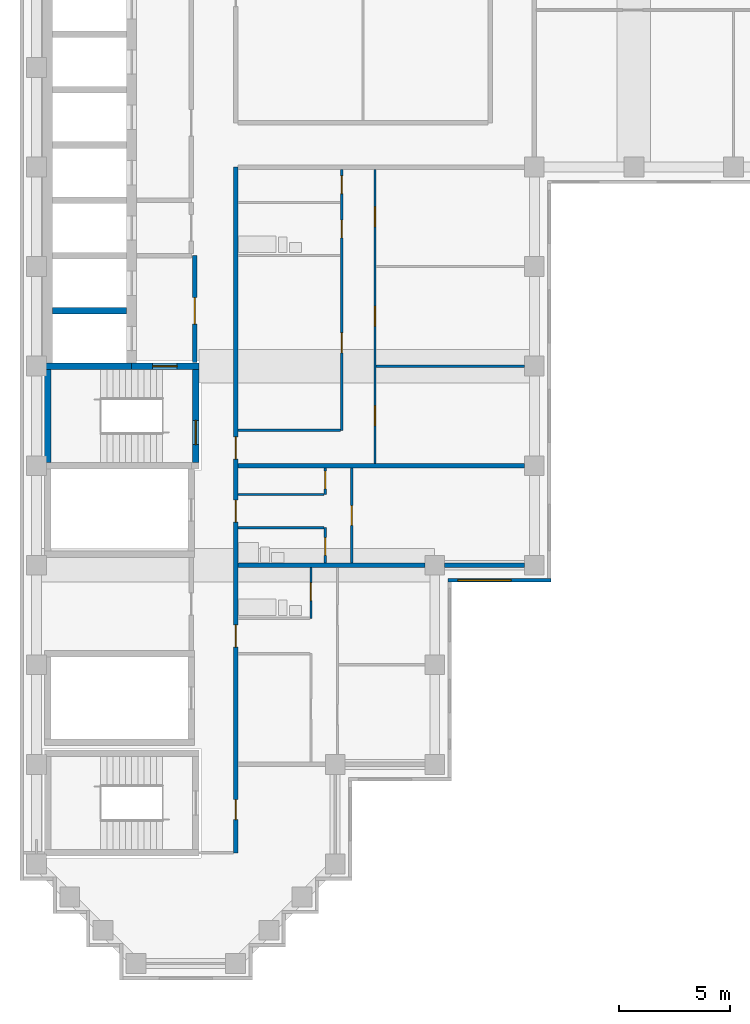
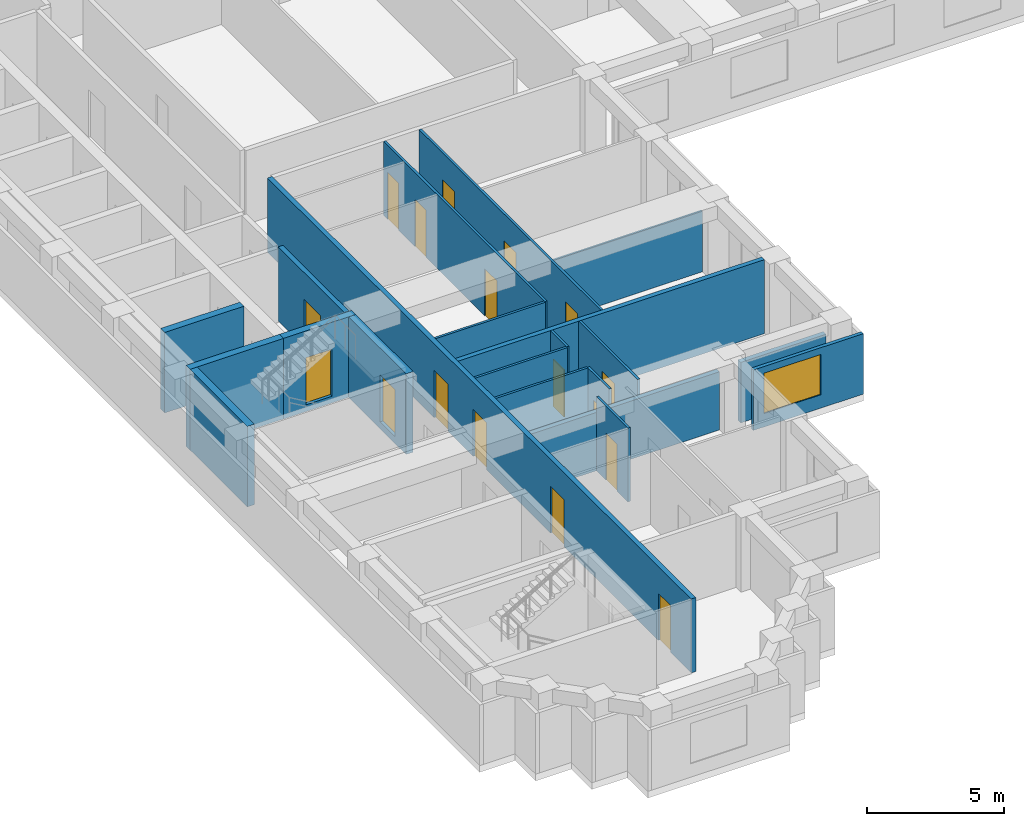
# One storey, part 3 of 11: 21 walls, 17 doors, 1 window, 18 openings.
"""IFC4 building model written with IfcOpenShell, lengths in metres."""

from ifc_helpers import new_model, si_unit, direction, frame, frame_2d, origin, place, context, subcontext, project, spatial, rectangle, extrude, material, layer, layer_set, type_object, element, fill, save


model = new_model("IFC4")

# Units and contexts
model_context = context("Model", 3, precision=1e-05, world=origin(), true_north=direction((0.0, 1.0)))
body_context = subcontext(model_context, "Body", "Model", "MODEL_VIEW")
ifc_project = project(units=[si_unit("LENGTHUNIT", "METRE"), si_unit("AREAUNIT", "SQUARE_METRE"), si_unit("VOLUMEUNIT", "CUBIC_METRE"), si_unit("PLANEANGLEUNIT", "RADIAN"), si_unit("MASSUNIT", "GRAM", prefix="KILO")], contexts=[model_context])

# Site, building, storey
site_placement = place(None, origin())
site = spatial("IfcSite", under=ifc_project, at=site_placement, CompositionType="ELEMENT")
building_placement = place(site_placement, origin())
building = spatial("IfcBuilding", under=site, at=building_placement, Name="Firuza Court", CompositionType="ELEMENT")
storey_placement = place(building_placement, frame((0.0, 0.0, 179.0)))
storey = spatial("IfcBuildingStorey", under=building, at=storey_placement, Name="L45", CompositionType="ELEMENT", Elevation=179.0)

# Walls
ifc_material_1 = material(Name="Moisture-resistant gypsum board partition")
ifc_layer_1 = layer(ifc_material_1, 0.10009765625)
ifc_layer_set_1 = layer_set([ifc_layer_1], Name="Moisture-resistant gypsum board partition")
wall_type_1 = type_object("IfcWallType", Name="Bathroom partition 100", PredefinedType="PLUMBINGWALL", material=ifc_layer_set_1)
wall_1_placement = place(storey_placement, frame((9.10009765625, 19.699951171875, 0.0), z_axis=(0.0, 0.0, 1.0), x_axis=(1.0, 0.0, 0.0)))
element("IfcWall", 1, at=wall_1_placement, inside=storey, type_object=wall_type_1, Name="Bathroom partition 100 L45", PredefinedType="PLUMBINGWALL", context=body_context, shape_type="SweptSolid", body=[
    extrude(rectangle(XDim=3.89990234375, YDim=0.10009765625, at=frame_2d((1.949951171875, 0.0))), origin(), (0.0, 0.0, 1.0), 3.300048828125),
])
ifc_material_2 = material(Name="Concrete C50/60", Category="concrete")
ifc_layer_2 = layer(ifc_material_2, 0.300048828125)
ifc_layer_set_2 = layer_set([ifc_layer_2], Name="Concrete C50/60")
wall_type_2 = type_object("IfcWallType", Name="Core wall 300 C50/60", PredefinedType="SHEAR", material=ifc_layer_set_2)
wall_2_placement = place(storey_placement, frame((0.35009765625, 27.0, -0.300048828125), z_axis=(0.0, 0.0, 1.0), x_axis=(1.0, 0.0, 0.0)))
element("IfcWall", 2, at=wall_2_placement, inside=storey, type_object=wall_type_2, Name="Core wall lift shaft L45", PredefinedType="SHEAR", context=body_context, shape_type="SweptSolid", body=[
    extrude(rectangle(XDim=3.949951171875, YDim=0.300048828125, at=frame_2d((1.97509765625, 0.0))), origin(), (0.0, 0.0, 1.0), 3.60009765625),
])
wall_3_placement = place(storey_placement, frame((0.5, 22.64990234375, -0.300048828125), z_axis=(0.0, 0.0, 1.0), x_axis=(0.0, 1.0, 0.0)))
element("IfcWall", 3, at=wall_3_placement, inside=storey, type_object=wall_type_2, Name="Core wall stair L45", PredefinedType="SHEAR", context=body_context, shape_type="SweptSolid", body=[
    extrude(rectangle(XDim=4.2001953125, YDim=0.300048828125, at=frame_2d((2.10009765625, 0.0))), origin(), (0.0, 0.0, 1.0), 3.60009765625),
])
wall_4_placement = place(storey_placement, frame((0.72509765625, 29.5, -0.300048828125), z_axis=(0.0, 0.0, 1.0), x_axis=(1.0, 0.0, 0.0)))
element("IfcWall", 4, at=wall_4_placement, inside=storey, type_object=wall_type_2, Name="Core wall lift shaft L45", PredefinedType="SHEAR", context=body_context, shape_type="SweptSolid", body=[
    extrude(rectangle(XDim=3.349853515625, YDim=0.300048828125, at=frame_2d((1.6748046875, 0.0))), origin(), (0.0, 0.0, 1.0), 3.60009765625),
])

# Wall, opening, door
wall_5_placement = place(storey_placement, frame((4.300048828125, 27.0, -0.300048828125), z_axis=(0.0, 0.0, 1.0), x_axis=(1.0, 0.0, 0.0)))
wall_5 = element("IfcWall", 5, at=wall_5_placement, inside=storey, type_object=wall_type_2, Name="Core wall stair L45", PredefinedType="SHEAR", context=body_context, shape_type="SweptSolid", body=[
    extrude(rectangle(XDim=3.050048828125, YDim=0.300048828125, at=frame_2d((1.52490234375, 0.0))), origin(), (0.0, 0.0, 1.0), 3.60009765625),
])
opening_1_placement = place(wall_5_placement, frame((0.949951171875, 0.0, 0.300048828125)))
opening_1 = element("IfcOpeningElement", 6, at=opening_1_placement, cuts=wall_5, Name="Opening D45013", PredefinedType="OPENING", context=body_context, shape_type="SweptSolid", body=[
    extrude(rectangle(XDim=1.10009765625, YDim=2.10009765625, at=frame_2d((0.550048828125, 1.050048828125))), frame((0.0, 0.162109375, 0.0), z_axis=(0.0, -1.0, 0.0), x_axis=(1.0, 0.0, 0.0)), (0.0, 0.0, 1.0), 0.323974609375),
])
ifc_material_3 = material(Name="Timber door leaf in hardwood frame", Category="wood")
door_type_1 = type_object("IfcDoorType", Name="Stair door 1100", OperationType="SINGLE_SWING_LEFT", PredefinedType="DOOR", material=ifc_material_3)
door_1_placement = place(opening_1_placement, frame((1.10009765625, 0.0, 0.0), z_axis=(0.0, 0.0, 1.0), x_axis=(-1.0, 0.0, 0.0)))
door_1 = element("IfcDoor", 7, at=door_1_placement, inside=storey, type_object=door_type_1, Name="Fire-fighting lobby door", OperationType="SINGLE_SWING_LEFT", OverallHeight=2.10009765625, OverallWidth=1.10009765625, PredefinedType="DOOR", context=body_context, shape_type="SweptSolid", body=[
    extrude(rectangle(XDim=1.10009765625, YDim=2.10009765625, at=frame_2d((0.550048828125, 1.050048828125))), frame((0.0, 0.02490234375, 0.0), z_axis=(0.0, -1.0, 0.0), x_axis=(1.0, 0.0, 0.0)), (0.0, 0.0, 1.0), 0.050048828125),
])
fill(opening_1, door_1)

wall_6_placement = place(storey_placement, frame((7.199951171875, 22.64990234375, -0.300048828125), z_axis=(0.0, 0.0, 1.0), x_axis=(0.0, 1.0, 0.0)))
wall_6 = element("IfcWall", 8, at=wall_6_placement, inside=storey, type_object=wall_type_2, Name="Core wall stair L45", PredefinedType="SHEAR", context=body_context, shape_type="SweptSolid", body=[
    extrude(rectangle(XDim=4.2001953125, YDim=0.300048828125, at=frame_2d((2.10009765625, 0.0))), origin(), (0.0, 0.0, 1.0), 3.60009765625),
])
opening_2_placement = place(wall_6_placement, frame((0.800048828125, 0.0, 0.300048828125)))
opening_2 = element("IfcOpeningElement", 9, at=opening_2_placement, cuts=wall_6, Name="Opening D45014", PredefinedType="OPENING", context=body_context, shape_type="SweptSolid", body=[
    extrude(rectangle(XDim=1.10009765625, YDim=2.10009765625, at=frame_2d((0.550048828125, 1.050048828125))), frame((0.0, 0.162109375, 0.0), z_axis=(0.0, -1.0, 0.0), x_axis=(1.0, 0.0, 0.0)), (0.0, 0.0, 1.0), 0.323974609375),
])
door_2_placement = place(opening_2_placement, origin())
door_2 = element("IfcDoor", 10, at=door_2_placement, inside=storey, type_object=door_type_1, Name="Stair door S2", OperationType="SINGLE_SWING_LEFT", OverallHeight=2.10009765625, OverallWidth=1.10009765625, PredefinedType="DOOR", context=body_context, shape_type="SweptSolid", body=[
    extrude(rectangle(XDim=1.10009765625, YDim=2.10009765625, at=frame_2d((0.550048828125, 1.050048828125))), frame((0.0, 0.02490234375, 0.0), z_axis=(0.0, -1.0, 0.0), x_axis=(1.0, 0.0, 0.0)), (0.0, 0.0, 1.0), 0.050048828125),
])
fill(opening_2, door_2)

# Wall, openings, doors
ifc_material_4 = material(Name="Blockwork, plastered both sides", Category="masonry")
ifc_layer_3 = layer(ifc_material_4, 0.199951171875)
ifc_layer_set_3 = layer_set([ifc_layer_3], Name="Blockwork, plastered both sides")
wall_type_3 = type_object("IfcWallType", Name="Corridor wall 200", PredefinedType="PARTITIONING", material=ifc_layer_set_3)
wall_7_placement = place(storey_placement, frame((9.0, 5.0, 0.0), z_axis=(0.0, 0.0, 1.0), x_axis=(0.0, 1.0, 0.0)))
wall_7 = element("IfcWall", 11, at=wall_7_placement, inside=storey, type_object=wall_type_3, Name="Corridor wall 200 L45", PredefinedType="PARTITIONING", context=body_context, shape_type="SweptSolid", body=[
    extrude(rectangle(XDim=31.0, YDim=0.199951171875, at=frame_2d((15.5, 0.0))), origin(), (0.0, 0.0, 1.0), 3.300048828125),
])
opening_3_placement = place(wall_7_placement, frame((17.800048828125, 0.0, 0.0)))
opening_3 = element("IfcOpeningElement", 12, at=opening_3_placement, cuts=wall_7, Name="Opening D45018", PredefinedType="OPENING", context=body_context, shape_type="SweptSolid", body=[
    extrude(rectangle(XDim=1.0, YDim=2.10009765625, at=frame_2d((0.5, 1.050048828125))), frame((0.0, 0.11181640625, 0.0), z_axis=(0.0, -1.0, 0.0), x_axis=(1.0, 0.0, 0.0)), (0.0, 0.0, 1.0), 0.223876953125),
])
opening_4_placement = place(wall_7_placement, frame((14.949951171875, 0.0, 0.0)))
opening_4 = element("IfcOpeningElement", 13, at=opening_4_placement, cuts=wall_7, Name="Opening D45019", PredefinedType="OPENING", context=body_context, shape_type="SweptSolid", body=[
    extrude(rectangle(XDim=1.0, YDim=2.10009765625, at=frame_2d((0.5, 1.050048828125))), frame((0.0, 0.11181640625, 0.0), z_axis=(0.0, -1.0, 0.0), x_axis=(1.0, 0.0, 0.0)), (0.0, 0.0, 1.0), 0.223876953125),
])
opening_5_placement = place(wall_7_placement, frame((9.300048828125, 0.0, 0.0)))
opening_5 = element("IfcOpeningElement", 14, at=opening_5_placement, cuts=wall_7, Name="Opening D45020", PredefinedType="OPENING", context=body_context, shape_type="SweptSolid", body=[
    extrude(rectangle(XDim=1.0, YDim=2.10009765625, at=frame_2d((0.5, 1.050048828125))), frame((0.0, 0.11181640625, 0.0), z_axis=(0.0, -1.0, 0.0), x_axis=(1.0, 0.0, 0.0)), (0.0, 0.0, 1.0), 0.223876953125),
])
opening_6_placement = place(wall_7_placement, frame((1.5, 0.0, 0.0)))
opening_6 = element("IfcOpeningElement", 15, at=opening_6_placement, cuts=wall_7, Name="Opening D45021", PredefinedType="OPENING", context=body_context, shape_type="SweptSolid", body=[
    extrude(rectangle(XDim=0.89990234375, YDim=2.10009765625, at=frame_2d((0.449951171875, 1.050048828125))), frame((0.0, 0.11181640625, 0.0), z_axis=(0.0, -1.0, 0.0), x_axis=(1.0, 0.0, 0.0)), (0.0, 0.0, 1.0), 0.223876953125),
])
ifc_material_5 = material(Name="Timber door leaf in hardwood frame", Category="wood")
door_type_2 = type_object("IfcDoorType", Name="Flat entrance door 1000", OperationType="SINGLE_SWING_LEFT", PredefinedType="DOOR", material=ifc_material_5)
door_3_placement = place(opening_3_placement, origin())
door_3 = element("IfcDoor", 16, at=door_3_placement, inside=storey, type_object=door_type_2, Name="Flat entrance door", OperationType="SINGLE_SWING_LEFT", OverallHeight=2.10009765625, OverallWidth=1.0, PredefinedType="DOOR", context=body_context, shape_type="SweptSolid", body=[
    extrude(rectangle(XDim=1.0, YDim=2.10009765625, at=frame_2d((0.5, 1.050048828125))), frame((0.0, 0.02490234375, 0.0), z_axis=(0.0, -1.0, 0.0), x_axis=(1.0, 0.0, 0.0)), (0.0, 0.0, 1.0), 0.050048828125),
])
fill(opening_3, door_3)
door_4_placement = place(opening_4_placement, origin())
door_4 = element("IfcDoor", 17, at=door_4_placement, inside=storey, type_object=door_type_2, Name="Flat entrance door", OperationType="SINGLE_SWING_LEFT", OverallHeight=2.10009765625, OverallWidth=1.0, PredefinedType="DOOR", context=body_context, shape_type="SweptSolid", body=[
    extrude(rectangle(XDim=1.0, YDim=2.10009765625, at=frame_2d((0.5, 1.050048828125))), frame((0.0, 0.02490234375, 0.0), z_axis=(0.0, -1.0, 0.0), x_axis=(1.0, 0.0, 0.0)), (0.0, 0.0, 1.0), 0.050048828125),
])
fill(opening_4, door_4)
door_5_placement = place(opening_5_placement, origin())
door_5 = element("IfcDoor", 18, at=door_5_placement, inside=storey, type_object=door_type_2, Name="Flat entrance door", OperationType="SINGLE_SWING_LEFT", OverallHeight=2.10009765625, OverallWidth=1.0, PredefinedType="DOOR", context=body_context, shape_type="SweptSolid", body=[
    extrude(rectangle(XDim=1.0, YDim=2.10009765625, at=frame_2d((0.5, 1.050048828125))), frame((0.0, 0.02490234375, 0.0), z_axis=(0.0, -1.0, 0.0), x_axis=(1.0, 0.0, 0.0)), (0.0, 0.0, 1.0), 0.050048828125),
])
fill(opening_5, door_5)
ifc_material_6 = material(Name="Timber door leaf in hardwood frame", Category="wood")
door_type_3 = type_object("IfcDoorType", Name="Room door 900 EI 30", OperationType="SINGLE_SWING_LEFT", PredefinedType="DOOR", material=ifc_material_6)
door_6_placement = place(opening_6_placement, origin())
door_6 = element("IfcDoor", 19, at=door_6_placement, inside=storey, type_object=door_type_3, Name="Fitness studio door", OperationType="SINGLE_SWING_LEFT", OverallHeight=2.10009765625, OverallWidth=0.89990234375, PredefinedType="DOOR", context=body_context, shape_type="SweptSolid", body=[
    extrude(rectangle(XDim=0.89990234375, YDim=2.10009765625, at=frame_2d((0.449951171875, 1.050048828125))), frame((0.0, 0.02490234375, 0.0), z_axis=(0.0, -1.0, 0.0), x_axis=(1.0, 0.0, 0.0)), (0.0, 0.0, 1.0), 0.050048828125),
])
fill(opening_6, door_6)

# Wall, opening, door
ifc_material_7 = material(Name="Timber stud partition, plasterboard both sides", Category="wood")
ifc_layer_4 = layer(ifc_material_7, 0.10009765625)
ifc_layer_set_4 = layer_set([ifc_layer_4], Name="Timber stud partition, plasterboard both sides")
wall_type_4 = type_object("IfcWallType", Name="Partition wall 100", PredefinedType="PARTITIONING", material=ifc_layer_set_4)
wall_8_placement = place(storey_placement, frame((12.39990234375, 15.60009765625, 0.0), z_axis=(0.0, 0.0, 1.0), x_axis=(0.0, 1.0, 0.0)))
wall_8 = element("IfcWall", 20, at=wall_8_placement, inside=storey, type_object=wall_type_4, Name="Partition wall 100 L45", PredefinedType="PARTITIONING", context=body_context, shape_type="SweptSolid", body=[
    extrude(rectangle(XDim=2.2998046875, YDim=0.10009765625, at=frame_2d((1.14990234375, 0.0))), origin(), (0.0, 0.0, 1.0), 3.300048828125),
])
opening_7_placement = place(wall_8_placement, frame((0.800048828125, 0.0, 0.0)))
opening_7 = element("IfcOpeningElement", 21, at=opening_7_placement, cuts=wall_8, Name="Opening D45026", PredefinedType="OPENING", context=body_context, shape_type="SweptSolid", body=[
    extrude(rectangle(XDim=0.800048828125, YDim=2.10009765625, at=frame_2d((0.39990234375, 1.050048828125))), frame((0.0, 0.06201171875, 0.0), z_axis=(0.0, -1.0, 0.0), x_axis=(1.0, 0.0, 0.0)), (0.0, 0.0, 1.0), 0.1240234375),
])
ifc_material_8 = material(Name="Timber door leaf in hardwood frame", Category="wood")
door_type_4 = type_object("IfcDoorType", Name="Bathroom door 800", OperationType="SINGLE_SWING_LEFT", PredefinedType="DOOR", material=ifc_material_8)
door_7_placement = place(opening_7_placement, origin())
door_7 = element("IfcDoor", 22, at=door_7_placement, inside=storey, type_object=door_type_4, Name="Bathroom door", OperationType="SINGLE_SWING_LEFT", OverallHeight=2.10009765625, OverallWidth=0.800048828125, PredefinedType="DOOR", context=body_context, shape_type="SweptSolid", body=[
    extrude(rectangle(XDim=0.800048828125, YDim=2.10009765625, at=frame_2d((0.39990234375, 1.050048828125))), frame((0.0, 0.02490234375, 0.0), z_axis=(0.0, -1.0, 0.0), x_axis=(1.0, 0.0, 0.0)), (0.0, 0.0, 1.0), 0.050048828125),
])
fill(opening_7, door_7)

wall_9_placement = place(storey_placement, frame((13.050048828125, 18.10009765625, 0.0), z_axis=(0.0, 0.0, 1.0), x_axis=(0.0, 1.0, 0.0)))
wall_9 = element("IfcWall", 23, at=wall_9_placement, inside=storey, type_object=wall_type_4, Name="Partition wall 100 L45", PredefinedType="PARTITIONING", context=body_context, shape_type="SweptSolid", body=[
    extrude(rectangle(XDim=1.599853515625, YDim=0.10009765625, at=frame_2d((0.7998046875, 0.0))), origin(), (0.0, 0.0, 1.0), 3.300048828125),
])
opening_8_placement = place(wall_9_placement, frame((0.35009765625, 0.0, 0.0)))
opening_8 = element("IfcOpeningElement", 24, at=opening_8_placement, cuts=wall_9, Name="Opening D45027", PredefinedType="OPENING", context=body_context, shape_type="SweptSolid", body=[
    extrude(rectangle(XDim=0.800048828125, YDim=2.10009765625, at=frame_2d((0.39990234375, 1.050048828125))), frame((0.0, 0.06201171875, 0.0), z_axis=(0.0, -1.0, 0.0), x_axis=(1.0, 0.0, 0.0)), (0.0, 0.0, 1.0), 0.1240234375),
])
door_8_placement = place(opening_8_placement, origin())
door_8 = element("IfcDoor", 25, at=door_8_placement, inside=storey, type_object=door_type_4, Name="Bathroom door", OperationType="SINGLE_SWING_LEFT", OverallHeight=2.10009765625, OverallWidth=0.800048828125, PredefinedType="DOOR", context=body_context, shape_type="SweptSolid", body=[
    extrude(rectangle(XDim=0.800048828125, YDim=2.10009765625, at=frame_2d((0.39990234375, 1.050048828125))), frame((0.0, 0.02490234375, 0.0), z_axis=(0.0, -1.0, 0.0), x_axis=(1.0, 0.0, 0.0)), (0.0, 0.0, 1.0), 0.050048828125),
])
fill(opening_8, door_8)

wall_10_placement = place(storey_placement, frame((14.25, 18.10009765625, 0.0), z_axis=(0.0, 0.0, 1.0), x_axis=(0.0, 1.0, 0.0)))
wall_10 = element("IfcWall", 26, at=wall_10_placement, inside=storey, type_object=wall_type_4, Name="Partition wall 100 L45", PredefinedType="PARTITIONING", context=body_context, shape_type="SweptSolid", body=[
    extrude(rectangle(XDim=4.2998046875, YDim=0.10009765625, at=frame_2d((2.14990234375, 0.0))), origin(), (0.0, 0.0, 1.0), 3.300048828125),
])
opening_9_placement = place(wall_10_placement, frame((1.699951171875, 0.0, 0.0)))
opening_9 = element("IfcOpeningElement", 27, at=opening_9_placement, cuts=wall_10, Name="Opening D45028", PredefinedType="OPENING", context=body_context, shape_type="SweptSolid", body=[
    extrude(rectangle(XDim=0.89990234375, YDim=2.10009765625, at=frame_2d((0.449951171875, 1.050048828125))), frame((0.0, 0.06201171875, 0.0), z_axis=(0.0, -1.0, 0.0), x_axis=(1.0, 0.0, 0.0)), (0.0, 0.0, 1.0), 0.1240234375),
])
ifc_material_9 = material(Name="Timber door leaf in hardwood frame", Category="wood")
door_type_5 = type_object("IfcDoorType", Name="Room door 900", OperationType="SINGLE_SWING_LEFT", PredefinedType="DOOR", material=ifc_material_9)
door_9_placement = place(opening_9_placement, frame((0.89990234375, 0.0, 0.0), z_axis=(0.0, 0.0, 1.0), x_axis=(-1.0, 0.0, 0.0)))
door_9 = element("IfcDoor", 28, at=door_9_placement, inside=storey, type_object=door_type_5, Name="Studio room door", OperationType="SINGLE_SWING_RIGHT", OverallHeight=2.10009765625, OverallWidth=0.89990234375, PredefinedType="DOOR", context=body_context, shape_type="SweptSolid", body=[
    extrude(rectangle(XDim=0.89990234375, YDim=2.10009765625, at=frame_2d((0.449951171875, 1.050048828125))), frame((0.0, 0.02490234375, 0.0), z_axis=(0.0, -1.0, 0.0), x_axis=(1.0, 0.0, 0.0)), (0.0, 0.0, 1.0), 0.050048828125),
])
fill(opening_9, door_9)

# Wall
wall_11_placement = place(storey_placement, frame((9.10009765625, 21.199951171875, 0.0), z_axis=(0.0, 0.0, 1.0), x_axis=(1.0, 0.0, 0.0)))
element("IfcWall", 29, at=wall_11_placement, inside=storey, type_object=wall_type_4, Name="Partition wall 100 L45", PredefinedType="PARTITIONING", context=body_context, shape_type="SweptSolid", body=[
    extrude(rectangle(XDim=3.89990234375, YDim=0.10009765625, at=frame_2d((1.949951171875, 0.0))), origin(), (0.0, 0.0, 1.0), 3.300048828125),
])

# Wall, opening, door
wall_12_placement = place(storey_placement, frame((13.050048828125, 21.199951171875, 0.0), z_axis=(0.0, 0.0, 1.0), x_axis=(0.0, 1.0, 0.0)))
wall_12 = element("IfcWall", 30, at=wall_12_placement, inside=storey, type_object=wall_type_4, Name="Partition wall 100 L45", PredefinedType="PARTITIONING", context=body_context, shape_type="SweptSolid", body=[
    extrude(rectangle(XDim=1.199951171875, YDim=0.10009765625, at=frame_2d((0.60009765625, 0.0))), origin(), (0.0, 0.0, 1.0), 3.300048828125),
])
opening_10_placement = place(wall_12_placement, frame((0.25, 0.0, 0.0)))
opening_10 = element("IfcOpeningElement", 31, at=opening_10_placement, cuts=wall_12, Name="Opening D45029", PredefinedType="OPENING", context=body_context, shape_type="SweptSolid", body=[
    extrude(rectangle(XDim=0.800048828125, YDim=2.10009765625, at=frame_2d((0.39990234375, 1.050048828125))), frame((0.0, 0.06201171875, 0.0), z_axis=(0.0, -1.0, 0.0), x_axis=(1.0, 0.0, 0.0)), (0.0, 0.0, 1.0), 0.1240234375),
])
ifc_material_10 = material(Name="Timber door leaf in hardwood frame", Category="wood")
door_type_6 = type_object("IfcDoorType", Name="Room door 800", OperationType="SINGLE_SWING_LEFT", PredefinedType="DOOR", material=ifc_material_10)
door_10_placement = place(opening_10_placement, origin())
door_10 = element("IfcDoor", 32, at=door_10_placement, inside=storey, type_object=door_type_6, Name="Kitchen door", OperationType="SINGLE_SWING_LEFT", OverallHeight=2.10009765625, OverallWidth=0.800048828125, PredefinedType="DOOR", context=body_context, shape_type="SweptSolid", body=[
    extrude(rectangle(XDim=0.800048828125, YDim=2.10009765625, at=frame_2d((0.39990234375, 1.050048828125))), frame((0.0, 0.02490234375, 0.0), z_axis=(0.0, -1.0, 0.0), x_axis=(1.0, 0.0, 0.0)), (0.0, 0.0, 1.0), 0.050048828125),
])
fill(opening_10, door_10)

# Wall, openings, doors
wall_13_placement = place(storey_placement, frame((15.300048828125, 22.60009765625, 0.0), z_axis=(0.0, 0.0, 1.0), x_axis=(0.0, 1.0, 0.0)))
wall_13 = element("IfcWall", 33, at=wall_13_placement, inside=storey, type_object=wall_type_4, Name="Partition wall 100 L45", PredefinedType="PARTITIONING", context=body_context, shape_type="SweptSolid", body=[
    extrude(rectangle(XDim=13.2998046875, YDim=0.10009765625, at=frame_2d((6.64990234375, 0.0))), origin(), (0.0, 0.0, 1.0), 3.300048828125),
])
opening_11_placement = place(wall_13_placement, frame((1.699951171875, 0.0, 0.0)))
opening_11 = element("IfcOpeningElement", 34, at=opening_11_placement, cuts=wall_13, Name="Opening D45030", PredefinedType="OPENING", context=body_context, shape_type="SweptSolid", body=[
    extrude(rectangle(XDim=0.89990234375, YDim=2.10009765625, at=frame_2d((0.449951171875, 1.050048828125))), frame((0.0, 0.06201171875, 0.0), z_axis=(0.0, -1.0, 0.0), x_axis=(1.0, 0.0, 0.0)), (0.0, 0.0, 1.0), 0.1240234375),
])
opening_12_placement = place(wall_13_placement, frame((6.199951171875, 0.0, 0.0)))
opening_12 = element("IfcOpeningElement", 35, at=opening_12_placement, cuts=wall_13, Name="Opening D45031", PredefinedType="OPENING", context=body_context, shape_type="SweptSolid", body=[
    extrude(rectangle(XDim=0.89990234375, YDim=2.10009765625, at=frame_2d((0.449951171875, 1.050048828125))), frame((0.0, 0.06201171875, 0.0), z_axis=(0.0, -1.0, 0.0), x_axis=(1.0, 0.0, 0.0)), (0.0, 0.0, 1.0), 0.1240234375),
])
opening_13_placement = place(wall_13_placement, frame((10.699951171875, 0.0, 0.0)))
opening_13 = element("IfcOpeningElement", 36, at=opening_13_placement, cuts=wall_13, Name="Opening D45032", PredefinedType="OPENING", context=body_context, shape_type="SweptSolid", body=[
    extrude(rectangle(XDim=0.89990234375, YDim=2.10009765625, at=frame_2d((0.449951171875, 1.050048828125))), frame((0.0, 0.06201171875, 0.0), z_axis=(0.0, -1.0, 0.0), x_axis=(1.0, 0.0, 0.0)), (0.0, 0.0, 1.0), 0.1240234375),
])
door_11_placement = place(opening_11_placement, frame((0.89990234375, 0.0, 0.0), z_axis=(0.0, 0.0, 1.0), x_axis=(-1.0, 0.0, 0.0)))
door_11 = element("IfcDoor", 37, at=door_11_placement, inside=storey, type_object=door_type_5, Name="Living room door", OperationType="SINGLE_SWING_RIGHT", OverallHeight=2.10009765625, OverallWidth=0.89990234375, PredefinedType="DOOR", context=body_context, shape_type="SweptSolid", body=[
    extrude(rectangle(XDim=0.89990234375, YDim=2.10009765625, at=frame_2d((0.449951171875, 1.050048828125))), frame((0.0, 0.02490234375, 0.0), z_axis=(0.0, -1.0, 0.0), x_axis=(1.0, 0.0, 0.0)), (0.0, 0.0, 1.0), 0.050048828125),
])
fill(opening_11, door_11)
door_12_placement = place(opening_12_placement, frame((0.89990234375, 0.0, 0.0), z_axis=(0.0, 0.0, 1.0), x_axis=(-1.0, 0.0, 0.0)))
door_12 = element("IfcDoor", 38, at=door_12_placement, inside=storey, type_object=door_type_5, Name="Bedroom door", OperationType="SINGLE_SWING_RIGHT", OverallHeight=2.10009765625, OverallWidth=0.89990234375, PredefinedType="DOOR", context=body_context, shape_type="SweptSolid", body=[
    extrude(rectangle(XDim=0.89990234375, YDim=2.10009765625, at=frame_2d((0.449951171875, 1.050048828125))), frame((0.0, 0.02490234375, 0.0), z_axis=(0.0, -1.0, 0.0), x_axis=(1.0, 0.0, 0.0)), (0.0, 0.0, 1.0), 0.050048828125),
])
fill(opening_12, door_12)
door_13_placement = place(opening_13_placement, frame((0.89990234375, 0.0, 0.0), z_axis=(0.0, 0.0, 1.0), x_axis=(-1.0, 0.0, 0.0)))
door_13 = element("IfcDoor", 39, at=door_13_placement, inside=storey, type_object=door_type_5, Name="Bedroom door", OperationType="SINGLE_SWING_RIGHT", OverallHeight=2.10009765625, OverallWidth=0.89990234375, PredefinedType="DOOR", context=body_context, shape_type="SweptSolid", body=[
    extrude(rectangle(XDim=0.89990234375, YDim=2.10009765625, at=frame_2d((0.449951171875, 1.050048828125))), frame((0.0, 0.02490234375, 0.0), z_axis=(0.0, -1.0, 0.0), x_axis=(1.0, 0.0, 0.0)), (0.0, 0.0, 1.0), 0.050048828125),
])
fill(opening_13, door_13)

# Wall
wall_14_placement = place(storey_placement, frame((9.10009765625, 24.10009765625, 0.0), z_axis=(0.0, 0.0, 1.0), x_axis=(1.0, 0.0, 0.0)))
element("IfcWall", 40, at=wall_14_placement, inside=storey, type_object=wall_type_4, Name="Partition wall 100 L45", PredefinedType="PARTITIONING", context=body_context, shape_type="SweptSolid", body=[
    extrude(rectangle(XDim=4.64990234375, YDim=0.10009765625, at=frame_2d((2.324951171875, 0.0))), origin(), (0.0, 0.0, 1.0), 3.300048828125),
])

# Wall, openings, doors
wall_15_placement = place(storey_placement, frame((13.800048828125, 24.10009765625, 0.0), z_axis=(0.0, 0.0, 1.0), x_axis=(0.0, 1.0, 0.0)))
wall_15 = element("IfcWall", 41, at=wall_15_placement, inside=storey, type_object=wall_type_4, Name="Partition wall 100 L45", PredefinedType="PARTITIONING", context=body_context, shape_type="SweptSolid", body=[
    extrude(rectangle(XDim=11.7998046875, YDim=0.10009765625, at=frame_2d((5.89990234375, 0.0))), origin(), (0.0, 0.0, 1.0), 3.300048828125),
])
opening_14_placement = place(wall_15_placement, frame((8.699951171875, 0.0, 0.0)))
opening_14 = element("IfcOpeningElement", 42, at=opening_14_placement, cuts=wall_15, Name="Opening D45033", PredefinedType="OPENING", context=body_context, shape_type="SweptSolid", body=[
    extrude(rectangle(XDim=0.800048828125, YDim=2.10009765625, at=frame_2d((0.39990234375, 1.050048828125))), frame((0.0, 0.06201171875, 0.0), z_axis=(0.0, -1.0, 0.0), x_axis=(1.0, 0.0, 0.0)), (0.0, 0.0, 1.0), 0.1240234375),
])
opening_15_placement = place(wall_15_placement, frame((3.5, 0.0, 0.0)))
opening_15 = element("IfcOpeningElement", 43, at=opening_15_placement, cuts=wall_15, Name="Opening D45034", PredefinedType="OPENING", context=body_context, shape_type="SweptSolid", body=[
    extrude(rectangle(XDim=0.89990234375, YDim=2.10009765625, at=frame_2d((0.449951171875, 1.050048828125))), frame((0.0, 0.06201171875, 0.0), z_axis=(0.0, -1.0, 0.0), x_axis=(1.0, 0.0, 0.0)), (0.0, 0.0, 1.0), 0.1240234375),
])
opening_16_placement = place(wall_15_placement, frame((10.699951171875, 0.0, 0.0)))
opening_16 = element("IfcOpeningElement", 44, at=opening_16_placement, cuts=wall_15, Name="Opening D45035", PredefinedType="OPENING", context=body_context, shape_type="SweptSolid", body=[
    extrude(rectangle(XDim=0.800048828125, YDim=2.10009765625, at=frame_2d((0.39990234375, 1.050048828125))), frame((0.0, 0.06201171875, 0.0), z_axis=(0.0, -1.0, 0.0), x_axis=(1.0, 0.0, 0.0)), (0.0, 0.0, 1.0), 0.1240234375),
])
door_14_placement = place(opening_14_placement, origin())
door_14 = element("IfcDoor", 45, at=door_14_placement, inside=storey, type_object=door_type_4, Name="Bathroom door", OperationType="SINGLE_SWING_LEFT", OverallHeight=2.10009765625, OverallWidth=0.800048828125, PredefinedType="DOOR", context=body_context, shape_type="SweptSolid", body=[
    extrude(rectangle(XDim=0.800048828125, YDim=2.10009765625, at=frame_2d((0.39990234375, 1.050048828125))), frame((0.0, 0.02490234375, 0.0), z_axis=(0.0, -1.0, 0.0), x_axis=(1.0, 0.0, 0.0)), (0.0, 0.0, 1.0), 0.050048828125),
])
fill(opening_14, door_14)
door_15_placement = place(opening_16_placement, origin())
door_15 = element("IfcDoor", 46, at=door_15_placement, inside=storey, type_object=door_type_6, Name="Store door", OperationType="SINGLE_SWING_LEFT", OverallHeight=2.10009765625, OverallWidth=0.800048828125, PredefinedType="DOOR", context=body_context, shape_type="SweptSolid", body=[
    extrude(rectangle(XDim=0.800048828125, YDim=2.10009765625, at=frame_2d((0.39990234375, 1.050048828125))), frame((0.0, 0.02490234375, 0.0), z_axis=(0.0, -1.0, 0.0), x_axis=(1.0, 0.0, 0.0)), (0.0, 0.0, 1.0), 0.050048828125),
])
fill(opening_16, door_15)
door_16_placement = place(opening_15_placement, origin())
door_16 = element("IfcDoor", 47, at=door_16_placement, inside=storey, type_object=door_type_5, Name="Kitchen door", OperationType="SINGLE_SWING_LEFT", OverallHeight=2.10009765625, OverallWidth=0.89990234375, PredefinedType="DOOR", context=body_context, shape_type="SweptSolid", body=[
    extrude(rectangle(XDim=0.89990234375, YDim=2.10009765625, at=frame_2d((0.449951171875, 1.050048828125))), frame((0.0, 0.02490234375, 0.0), z_axis=(0.0, -1.0, 0.0), x_axis=(1.0, 0.0, 0.0)), (0.0, 0.0, 1.0), 0.050048828125),
])
fill(opening_15, door_16)

# Walls
wall_16_placement = place(storey_placement, frame((15.35009765625, 27.0, 0.0), z_axis=(0.0, 0.0, 1.0), x_axis=(1.0, 0.0, 0.0)))
element("IfcWall", 48, at=wall_16_placement, inside=storey, type_object=wall_type_4, Name="Partition wall 100 L45", PredefinedType="PARTITIONING", context=body_context, shape_type="SweptSolid", body=[
    extrude(rectangle(XDim=6.699951171875, YDim=0.10009765625, at=frame_2d((3.35009765625, 0.0))), origin(), (0.0, 0.0, 1.0), 2.699951171875),
])
ifc_layer_5 = layer(ifc_material_4, 0.199951171875)
ifc_layer_set_5 = layer_set([ifc_layer_5], Name="Blockwork, plastered both sides")
wall_type_5 = type_object("IfcWallType", Name="Party wall 200", PredefinedType="PARTITIONING", material=ifc_layer_set_5)
wall_17_placement = place(storey_placement, frame((9.10009765625, 18.0, 0.0), z_axis=(0.0, 0.0, 1.0), x_axis=(1.0, 0.0, 0.0)))
element("IfcWall", 49, at=wall_17_placement, inside=storey, type_object=wall_type_5, Name="Party wall 200 L45", PredefinedType="PARTITIONING", context=body_context, shape_type="SweptSolid", body=[
    extrude(rectangle(XDim=8.449951171875, YDim=0.199951171875, at=frame_2d((4.22509765625, 0.0))), origin(), (0.0, 0.0, 1.0), 2.60009765625),
])
wall_18_placement = place(storey_placement, frame((18.449951171875, 18.0, 0.0), z_axis=(0.0, 0.0, 1.0), x_axis=(1.0, 0.0, 0.0)))
element("IfcWall", 50, at=wall_18_placement, inside=storey, type_object=wall_type_5, Name="Party wall 200 L45", PredefinedType="PARTITIONING", context=body_context, shape_type="SweptSolid", body=[
    extrude(rectangle(XDim=3.60009765625, YDim=0.199951171875, at=frame_2d((1.800048828125, 0.0))), origin(), (0.0, 0.0, 1.0), 2.699951171875),
])
wall_19_placement = place(storey_placement, frame((9.10009765625, 22.5, 0.0), z_axis=(0.0, 0.0, 1.0), x_axis=(1.0, 0.0, 0.0)))
element("IfcWall", 51, at=wall_19_placement, inside=storey, type_object=wall_type_5, Name="Party wall 200 L45", PredefinedType="PARTITIONING", context=body_context, shape_type="SweptSolid", body=[
    extrude(rectangle(XDim=12.949951171875, YDim=0.199951171875, at=frame_2d((6.47509765625, 0.0))), origin(), (0.0, 0.0, 1.0), 3.300048828125),
])

# Wall, opening, window
ifc_material_11 = material(Name="Ceramic tile", Category="ceramic")
ifc_layer_6 = layer(ifc_material_11, 0.02001953125)
ifc_material_12 = material(Name="Mineral wool insulation", Category="insulation")
ifc_layer_7 = layer(ifc_material_12, 0.050048828125)
ifc_material_13 = material(Name="Concrete C40/50 precast", Category="concrete")
ifc_layer_8 = layer(ifc_material_13, 0.080078125)
ifc_layer_set_6 = layer_set([ifc_layer_6, ifc_layer_7, ifc_layer_8], Name="Concrete C40/50 precast")
wall_type_6 = type_object("IfcWallType", Name="Precast cladding wall with turquoise TILE PANEL face 150", PredefinedType="STANDARD", material=ifc_layer_set_6)
wall_20_placement = place(storey_placement, frame((18.60009765625, 17.324951171875, 0.0), z_axis=(0.0, 0.0, 1.0), x_axis=(1.0, 0.0, 0.0)))
wall_20 = element("IfcWall", 52, at=wall_20_placement, inside=storey, type_object=wall_type_6, Name="Facade wall L45 S", PredefinedType="STANDARD", context=body_context, shape_type="SweptSolid", body=[
    extrude(rectangle(XDim=4.64990234375, YDim=0.14990234375, at=frame_2d((2.324951171875, 0.0))), origin(), (0.0, 0.0, 1.0), 2.699951171875),
])
opening_17_placement = place(wall_20_placement, frame((0.449951171875, 0.0, 0.60009765625)))
opening_17 = element("IfcOpeningElement", 53, at=opening_17_placement, cuts=wall_20, Name="Opening W1", PredefinedType="OPENING", context=body_context, shape_type="SweptSolid", body=[
    extrude(rectangle(XDim=2.39990234375, YDim=1.800048828125, at=frame_2d((1.199951171875, 0.89990234375))), frame((0.0, 0.0869140625, 0.0), z_axis=(0.0, -1.0, 0.0), x_axis=(1.0, 0.0, 0.0)), (0.0, 0.0, 1.0), 0.173828125),
])
ifc_material_14 = material(Name="Aluminium frame, triple clear glazing", Category="aluminium")
window_type = type_object("IfcWindowType", Name="Window W1 2400 x 1800", PartitioningType="SINGLE_PANEL", PredefinedType="WINDOW", material=ifc_material_14)
window_placement = place(opening_17_placement, origin())
window = element("IfcWindow", 54, at=window_placement, inside=storey, type_object=window_type, Name="Window L45", OverallHeight=1.800048828125, OverallWidth=2.39990234375, PartitioningType="SINGLE_PANEL", PredefinedType="WINDOW", context=body_context, shape_type="SweptSolid", body=[
    extrude(rectangle(XDim=2.39990234375, YDim=1.800048828125, at=frame_2d((1.199951171875, 0.89990234375))), frame((0.0, 0.030029296875, 0.0), z_axis=(0.0, -1.0, 0.0), x_axis=(1.0, 0.0, 0.0)), (0.0, 0.0, 1.0), 0.06005859375),
])
fill(opening_17, window)

# Wall, opening, door
ifc_material_15 = material(Name="Blockwork, fire-rated", Category="masonry")
ifc_layer_9 = layer(ifc_material_15, 0.199951171875)
ifc_layer_set_7 = layer_set([ifc_layer_9], Name="Blockwork, fire-rated")
wall_type_7 = type_object("IfcWallType", Name="Shaft wall 200", PredefinedType="PARTITIONING", material=ifc_layer_set_7)
wall_21_placement = place(storey_placement, frame((7.14990234375, 27.169921875, 0.0), z_axis=(0.0, 0.0, 1.0), x_axis=(0.0, 1.0, 0.0)))
wall_21 = element("IfcWall", 55, at=wall_21_placement, inside=storey, type_object=wall_type_7, Name="Shaft wall 200 L45", PredefinedType="PARTITIONING", context=body_context, shape_type="SweptSolid", body=[
    extrude(rectangle(XDim=4.830078125, YDim=0.199951171875, at=frame_2d((2.4150390625, 0.0))), origin(), (0.0, 0.0, 1.0), 3.300048828125),
])
opening_18_placement = place(wall_21_placement, frame((1.72998046875, 0.0, 0.0)))
opening_18 = element("IfcOpeningElement", 56, at=opening_18_placement, cuts=wall_21, Name="Opening D45002", PredefinedType="OPENING", context=body_context, shape_type="SweptSolid", body=[
    extrude(rectangle(XDim=1.199951171875, YDim=2.10009765625, at=frame_2d((0.60009765625, 1.050048828125))), frame((0.0, 0.11181640625, 0.0), z_axis=(0.0, -1.0, 0.0), x_axis=(1.0, 0.0, 0.0)), (0.0, 0.0, 1.0), 0.223876953125),
])
ifc_material_16 = material(Name="Timber door leaf in hardwood frame", Category="wood")
door_type_7 = type_object("IfcDoorType", Name="Lobby door 1200", OperationType="SINGLE_SWING_LEFT", PredefinedType="DOOR", material=ifc_material_16)
door_17_placement = place(opening_18_placement, origin())
door_17 = element("IfcDoor", 57, at=door_17_placement, inside=storey, type_object=door_type_7, Name="Fire-fighting lobby door", OperationType="SINGLE_SWING_LEFT", OverallHeight=2.10009765625, OverallWidth=1.199951171875, PredefinedType="DOOR", context=body_context, shape_type="SweptSolid", body=[
    extrude(rectangle(XDim=1.199951171875, YDim=2.10009765625, at=frame_2d((0.60009765625, 1.050048828125))), frame((0.0, 0.02490234375, 0.0), z_axis=(0.0, -1.0, 0.0), x_axis=(1.0, 0.0, 0.0)), (0.0, 0.0, 1.0), 0.050048828125),
])
fill(opening_18, door_17)

save(model, "model.ifc")
